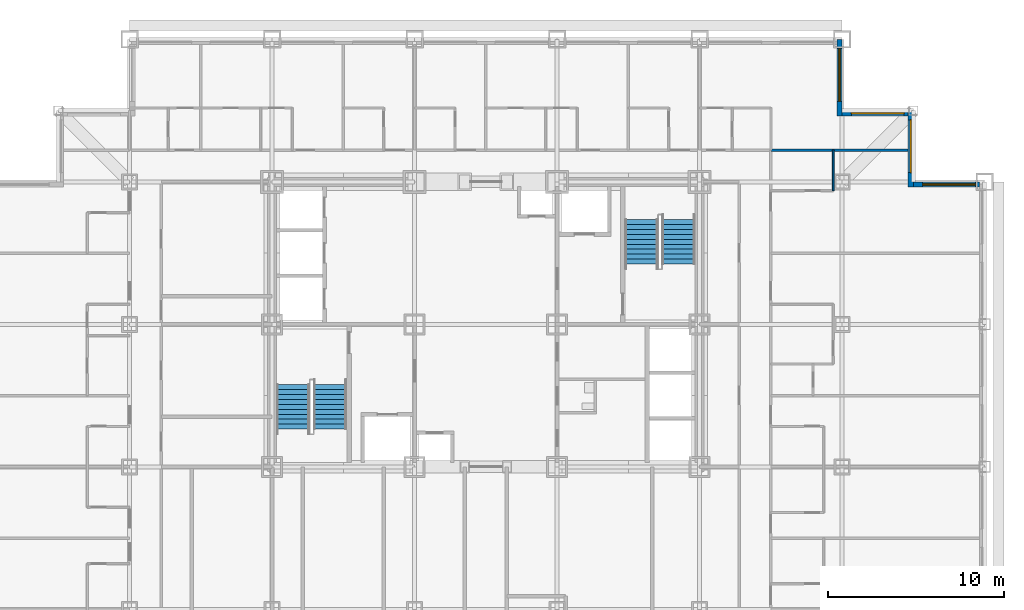
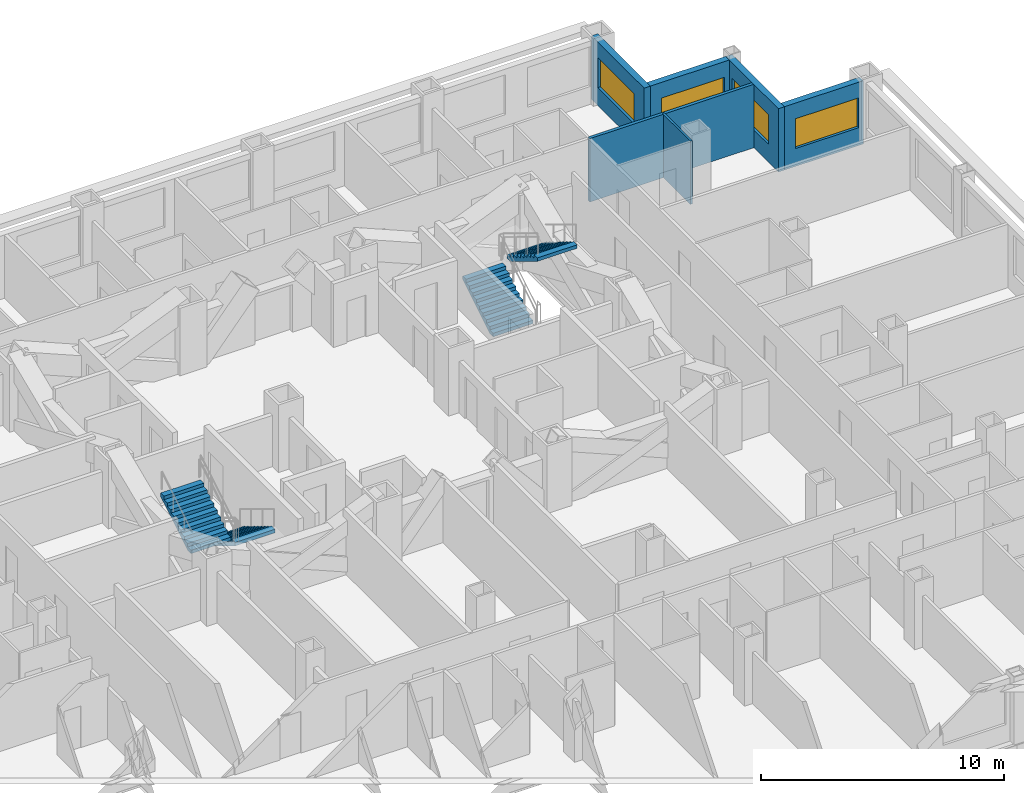
# One storey, part 11 of 13: 6 walls, 4 stair flights, 4 windows, 4 openings, 2 elements without a shape of their own.
"""IFC4 building model written with IfcOpenShell, lengths in metres."""

from ifc_helpers import new_model, si_unit, direction, frame, frame_2d, origin, place, context, subcontext, project, spatial, rectangle, extrude, polygons, source, transform, mapped, material, layer, layer_set, type_object, element, fill, aggregate, save


model = new_model("IFC4")

# Units and contexts
model_context = context("Model", 3, precision=1e-05, world=origin(), true_north=direction((0.0, 1.0)))
body_context = subcontext(model_context, "Body", "Model", "MODEL_VIEW")
ifc_project = project(units=[si_unit("LENGTHUNIT", "METRE"), si_unit("AREAUNIT", "SQUARE_METRE"), si_unit("VOLUMEUNIT", "CUBIC_METRE"), si_unit("PLANEANGLEUNIT", "RADIAN"), si_unit("MASSUNIT", "GRAM", prefix="KILO")], contexts=[model_context])

# Site, building, storey
site_placement = place(None, origin())
site = spatial("IfcSite", under=ifc_project, at=site_placement, CompositionType="ELEMENT")
building_placement = place(site_placement, origin())
building = spatial("IfcBuilding", under=site, at=building_placement, Name="Kopane Lantern Tower", CompositionType="ELEMENT")
storey_placement = place(building_placement, frame((0.0, 0.0, 63.60009765625)))
storey = spatial("IfcBuildingStorey", under=building, at=storey_placement, Name="L15", CompositionType="ELEMENT", Elevation=63.60009765625)

# Walls
ifc_material_1 = material(Name="Moisture-resistant board on steel studs", Category="steel")
ifc_layer_1 = layer(ifc_material_1, 0.10009765625)
ifc_layer_set_1 = layer_set([ifc_layer_1], Name="BATHROOM WALL 100")
wall_type_1 = type_object("IfcWallType", Name="BATHROOM WALL 100", PredefinedType="PARTITIONING", material=ifc_layer_set_1)
wall_1_placement = place(storey_placement, frame((48.090087890625, 40.0, 0.0), z_axis=(0.0, 0.0, 1.0), x_axis=(0.0, 1.0, 0.0)))
element("IfcWall", 1, at=wall_1_placement, inside=storey, type_object=wall_type_1, Name="Bathroom Wall 100 L15", PredefinedType="PARTITIONING", context=body_context, shape_type="SweptSolid", body=[
    extrude(rectangle(XDim=2.300048828125, YDim=0.10009765625, at=frame_2d((1.14990234375, 0.0))), origin(), (0.0, 0.0, 1.0), 3.18994140625),
])
ifc_material_2 = material(Name="Gypsum board on steel studs", Category="steel")
ifc_layer_2 = layer(ifc_material_2, 0.14990234375)
ifc_layer_set_2 = layer_set([ifc_layer_2], Name="DEMISING WALL 150 EI 60")
wall_type_2 = type_object("IfcWallType", Name="DEMISING WALL 150 EI 60", PredefinedType="PARTITIONING", material=ifc_layer_set_2)
wall_2_placement = place(storey_placement, frame((44.550048828125, 42.300048828125, 0.0), z_axis=(0.0, 0.0, 1.0), x_axis=(1.0, 0.0, 0.0)))
element("IfcWall", 2, at=wall_2_placement, inside=storey, type_object=wall_type_2, Name="Demising Wall 150 Ei 60 L15", PredefinedType="PARTITIONING", context=body_context, shape_type="SweptSolid", body=[
    extrude(rectangle(XDim=7.800048828125, YDim=0.14990234375, at=frame_2d((3.89990234375, 0.0))), origin(), (0.0, 0.0, 1.0), 3.18994140625),
])

# Wall, opening, window
ifc_material_3 = material(Name="Terracotta rainscreen on light steel framing", Category="masonry")
ifc_layer_3 = layer(ifc_material_3, 0.300048828125)
ifc_layer_set_3 = layer_set([ifc_layer_3], Name="EXTERNAL WALL EW1 300 TERRACOTTA")
wall_type_3 = type_object("IfcWallType", Name="EXTERNAL WALL EW1 300 TERRACOTTA", PredefinedType="SOLIDWALL", material=ifc_layer_set_3)
wall_3_placement = place(storey_placement, frame((56.39990234375, 40.35009765625, 0.0), z_axis=(0.0, 0.0, 1.0), x_axis=(-1.0, 0.0, 0.0)))
wall_3 = element("IfcWall", 3, at=wall_3_placement, inside=storey, type_object=wall_type_3, Name="External wall N L15", PredefinedType="SOLIDWALL", context=body_context, shape_type="SweptSolid", body=[
    extrude(rectangle(XDim=3.75, YDim=0.300048828125, at=frame_2d((1.875, 0.0))), origin(), (0.0, 0.0, 1.0), 3.18994140625),
])
opening_1_placement = place(wall_3_placement, frame((0.22509765625, 0.0, 0.89990234375)))
opening_1 = element("IfcOpeningElement", 4, at=opening_1_placement, cuts=wall_3, Name="Opening WR300150", PredefinedType="OPENING", context=body_context, shape_type="SweptSolid", body=[
    extrude(rectangle(XDim=3.0, YDim=1.5, at=frame_2d((1.5, 0.75))), frame((0.0, 0.159912109375, 0.0), z_axis=(0.0, -1.0, 0.0), x_axis=(1.0, 0.0, 0.0)), (0.0, 0.0, 1.0), 0.320068359375),
])
ifc_material_4 = material(Name="Aluminium and clear glass", Category="aluminium")
window_type = type_object("IfcWindowType", Name="RIBBON WINDOW WR300150 3000x1500", PartitioningType="SINGLE_PANEL", PredefinedType="WINDOW", material=ifc_material_4)
window_1_placement = place(opening_1_placement, origin())
window_1 = element("IfcWindow", 5, at=window_1_placement, inside=storey, type_object=window_type, Name="Window N L15", OverallHeight=1.5, OverallWidth=3.0, PartitioningType="SINGLE_PANEL", PredefinedType="WINDOW", context=body_context, shape_type="SweptSolid", body=[
    extrude(rectangle(XDim=3.0, YDim=1.5, at=frame_2d((1.5, 0.75))), frame((0.0, 0.030029296875, 0.0), z_axis=(0.0, -1.0, 0.0), x_axis=(1.0, 0.0, 0.0)), (0.0, 0.0, 1.0), 0.06005859375),
])
fill(opening_1, window_1)

wall_4_placement = place(storey_placement, frame((52.5, 40.199951171875, 0.0), z_axis=(0.0, 0.0, 1.0), x_axis=(0.0, 1.0, 0.0)))
wall_4 = element("IfcWall", 6, at=wall_4_placement, inside=storey, type_object=wall_type_3, Name="External wall E L15", PredefinedType="SOLIDWALL", context=body_context, shape_type="SweptSolid", body=[
    extrude(rectangle(XDim=4.35009765625, YDim=0.300048828125, at=frame_2d((2.175048828125, 0.0))), origin(), (0.0, 0.0, 1.0), 3.18994140625),
])
opening_2_placement = place(wall_4_placement, frame((0.824951171875, 0.0, 0.89990234375)))
opening_2 = element("IfcOpeningElement", 7, at=opening_2_placement, cuts=wall_4, Name="Opening WR300150", PredefinedType="OPENING", context=body_context, shape_type="SweptSolid", body=[
    extrude(rectangle(XDim=3.0, YDim=1.5, at=frame_2d((1.5, 0.75))), frame((0.0, 0.159912109375, 0.0), z_axis=(0.0, -1.0, 0.0), x_axis=(1.0, 0.0, 0.0)), (0.0, 0.0, 1.0), 0.320068359375),
])
window_2_placement = place(opening_2_placement, origin())
window_2 = element("IfcWindow", 8, at=window_2_placement, inside=storey, type_object=window_type, Name="Window E L15", OverallHeight=1.5, OverallWidth=3.0, PartitioningType="SINGLE_PANEL", PredefinedType="WINDOW", context=body_context, shape_type="SweptSolid", body=[
    extrude(rectangle(XDim=3.0, YDim=1.5, at=frame_2d((1.5, 0.75))), frame((0.0, 0.030029296875, 0.0), z_axis=(0.0, -1.0, 0.0), x_axis=(1.0, 0.0, 0.0)), (0.0, 0.0, 1.0), 0.06005859375),
])
fill(opening_2, window_2)

wall_5_placement = place(storey_placement, frame((52.35009765625, 44.39990234375, 0.0), z_axis=(0.0, 0.0, 1.0), x_axis=(-1.0, 0.0, 0.0)))
wall_5 = element("IfcWall", 9, at=wall_5_placement, inside=storey, type_object=wall_type_3, Name="External wall N L15", PredefinedType="SOLIDWALL", context=body_context, shape_type="SweptSolid", body=[
    extrude(rectangle(XDim=3.75, YDim=0.300048828125, at=frame_2d((1.875, 0.0))), origin(), (0.0, 0.0, 1.0), 3.18994140625),
])
opening_3_placement = place(wall_5_placement, frame((0.22509765625, 0.0, 0.89990234375)))
opening_3 = element("IfcOpeningElement", 10, at=opening_3_placement, cuts=wall_5, Name="Opening WR300150", PredefinedType="OPENING", context=body_context, shape_type="SweptSolid", body=[
    extrude(rectangle(XDim=3.0, YDim=1.5, at=frame_2d((1.5, 0.75))), frame((0.0, 0.159912109375, 0.0), z_axis=(0.0, -1.0, 0.0), x_axis=(1.0, 0.0, 0.0)), (0.0, 0.0, 1.0), 0.320068359375),
])
window_3_placement = place(opening_3_placement, origin())
window_3 = element("IfcWindow", 11, at=window_3_placement, inside=storey, type_object=window_type, Name="Window N L15", OverallHeight=1.5, OverallWidth=3.0, PartitioningType="SINGLE_PANEL", PredefinedType="WINDOW", context=body_context, shape_type="SweptSolid", body=[
    extrude(rectangle(XDim=3.0, YDim=1.5, at=frame_2d((1.5, 0.75))), frame((0.0, 0.030029296875, 0.0), z_axis=(0.0, -1.0, 0.0), x_axis=(1.0, 0.0, 0.0)), (0.0, 0.0, 1.0), 0.06005859375),
])
fill(opening_3, window_3)

wall_6_placement = place(storey_placement, frame((48.449951171875, 44.25, 0.0), z_axis=(0.0, 0.0, 1.0), x_axis=(0.0, 1.0, 0.0)))
wall_6 = element("IfcWall", 12, at=wall_6_placement, inside=storey, type_object=wall_type_3, Name="External wall E L15", PredefinedType="SOLIDWALL", context=body_context, shape_type="SweptSolid", body=[
    extrude(rectangle(XDim=4.35009765625, YDim=0.300048828125, at=frame_2d((2.175048828125, 0.0))), origin(), (0.0, 0.0, 1.0), 3.18994140625),
])
opening_4_placement = place(wall_6_placement, frame((0.824951171875, 0.0, 0.89990234375)))
opening_4 = element("IfcOpeningElement", 13, at=opening_4_placement, cuts=wall_6, Name="Opening WR300150", PredefinedType="OPENING", context=body_context, shape_type="SweptSolid", body=[
    extrude(rectangle(XDim=3.0, YDim=1.5, at=frame_2d((1.5, 0.75))), frame((0.0, 0.159912109375, 0.0), z_axis=(0.0, -1.0, 0.0), x_axis=(1.0, 0.0, 0.0)), (0.0, 0.0, 1.0), 0.320068359375),
])
window_4_placement = place(opening_4_placement, origin())
window_4 = element("IfcWindow", 14, at=window_4_placement, inside=storey, type_object=window_type, Name="Window E L15", OverallHeight=1.5, OverallWidth=3.0, PartitioningType="SINGLE_PANEL", PredefinedType="WINDOW", context=body_context, shape_type="SweptSolid", body=[
    extrude(rectangle(XDim=3.0, YDim=1.5, at=frame_2d((1.5, 0.75))), frame((0.0, 0.030029296875, 0.0), z_axis=(0.0, -1.0, 0.0), x_axis=(1.0, 0.0, 0.0)), (0.0, 0.0, 1.0), 0.06005859375),
])
fill(opening_4, window_4)

# Stair, stair flights
ifc_material_5 = material(Name="Steel S355JR", Category="steel")
stair_type = type_object("IfcStairType", Name="EXIT STAIR 1900 HALF TURN", PredefinedType="HALF_TURN_STAIR", material=ifc_material_5)
stair_1_placement = place(storey_placement, origin())
stair_1 = element("IfcStair", 15, at=stair_1_placement, inside=storey, type_object=stair_type, Name="Exit stair ST1 L15", PredefinedType="HALF_TURN_STAIR")
ifc_material_6 = material(Name="Steel S355JR", Category="steel")
stair_flight_type = type_object("IfcStairFlightType", Name="STAIR FLIGHT 1900 STEEL", PredefinedType="STRAIGHT", material=ifc_material_6)
shared_shape = source(origin(), body_context, "Body", "Tessellation", [
    polygons([(2.520019531, 0.949951172, 1.530029297), (2.239990234, 0.949951172, 1.530029297), (2.239990234, -0.949951172, 1.530029297), (2.520019531, -0.949951172, 1.530029297), (0.288818359, 0.949951172, 0.0), (2.520019531, 0.949951172, 1.354736328), (2.520019531, -0.949951172, 1.354736328), (0.288818359, -0.949951172, 0.0), (0.0, 0.949951172, 0.0), (0.0, -0.949951172, 0.0), (0.280029297, 0.949951172, 0.169921875), (0.0, 0.949951172, 0.169921875), (0.0, -0.949951172, 0.169921875), (0.280029297, -0.949951172, 0.169921875), (0.280029297, 0.949951172, 0.340087891), (0.280029297, -0.949951172, 0.340087891), (0.560058594, 0.949951172, 0.340087891), (0.560058594, -0.949951172, 0.340087891), (0.560058594, 0.949951172, 0.510009766), (0.560058594, -0.949951172, 0.510009766), (0.840087891, 0.949951172, 0.510009766), (0.840087891, -0.949951172, 0.510009766), (0.840087891, 0.949951172, 0.679931641), (0.840087891, -0.949951172, 0.679931641), (1.120117188, 0.949951172, 0.679931641), (1.120117188, -0.949951172, 0.679931641), (1.120117188, 0.949951172, 0.850097656), (1.120117188, -0.949951172, 0.850097656), (1.399902344, 0.949951172, 0.850097656), (1.399902344, -0.949951172, 0.850097656), (1.399902344, 0.949951172, 1.020019531), (1.399902344, -0.949951172, 1.020019531), (1.679931641, 0.949951172, 1.020019531), (1.679931641, -0.949951172, 1.020019531), (1.679931641, 0.949951172, 1.189941406), (1.679931641, -0.949951172, 1.189941406), (1.959960938, 0.949951172, 1.189941406), (1.959960938, -0.949951172, 1.189941406), (1.959960938, 0.949951172, 1.360107422), (1.959960938, -0.949951172, 1.360107422), (2.239990234, 0.949951172, 1.360107422), (2.239990234, -0.949951172, 1.360107422), (0.0, 0.0, 0.004592483), (0.0, 0.0, 0.009184966), (0.0, 0.0, 0.013777449), (0.0, 0.0, 0.018369932), (0.0, 0.0, 0.022962416), (0.0, 0.0, 0.027554899), (0.0, 0.0, 0.032147382), (0.0, 0.0, 0.036739865), (0.0, 0.0, 0.041332348), (0.0, 0.0, 0.045924831), (0.0, 0.0, 0.050517314), (0.0, 0.0, 0.055109797), (0.0, 0.0, 0.05970228), (0.0, 0.0, 0.064294764), (0.0, 0.0, 0.068887247), (0.0, 0.0, 0.07347973), (0.0, 0.0, 0.078072213), (0.0, 0.0, 0.082664696), (0.0, 0.0, 0.087257179), (0.0, 0.0, 0.091849662), (0.0, 0.0, 0.096442145), (0.0, 0.0, 0.101034628), (0.0, 0.0, 0.105627111), (0.0, 0.0, 0.110219595), (0.0, 0.0, 0.114812078), (0.0, 0.0, 0.119404561), (0.0, 0.0, 0.123997044), (0.0, 0.0, 0.128589527), (0.0, 0.0, 0.13318201), (0.0, 0.0, 0.137774493), (0.0, 0.0, 0.142366976), (0.0, 0.0, 0.146959459), (0.0, 0.0, 0.151551943), (0.0, 0.0, 0.156144426), (0.0, 0.0, 0.160736909), (0.0, 0.0, 0.165329392), (2.520019531, 0.0, 1.359473976), (2.520019531, 0.0, 1.364211624), (2.520019531, 0.0, 1.368949272), (2.520019531, 0.0, 1.373686919), (2.520019531, 0.0, 1.378424567), (2.520019531, 0.0, 1.383162215), (2.520019531, 0.0, 1.387899863), (2.520019531, 0.0, 1.392637511), (2.520019531, 0.0, 1.397375158), (2.520019531, 0.0, 1.402112806), (2.520019531, 0.0, 1.406850454), (2.520019531, 0.0, 1.411588102), (2.520019531, 0.0, 1.41632575), (2.520019531, 0.0, 1.421063397), (2.520019531, 0.0, 1.425801045), (2.520019531, 0.0, 1.430538693), (2.520019531, 0.0, 1.435276341), (2.520019531, 0.0, 1.440013989), (2.520019531, 0.0, 1.444751636), (2.520019531, 0.0, 1.449489284), (2.520019531, 0.0, 1.454226932), (2.520019531, 0.0, 1.45896458), (2.520019531, 0.0, 1.463702228), (2.520019531, 0.0, 1.468439875), (2.520019531, 0.0, 1.473177523), (2.520019531, 0.0, 1.477915171), (2.520019531, 0.0, 1.482652819), (2.520019531, 0.0, 1.487390467), (2.520019531, 0.0, 1.492128114), (2.520019531, 0.0, 1.496865762), (2.520019531, 0.0, 1.50160341), (2.520019531, 0.0, 1.506341058), (2.520019531, 0.0, 1.511078706), (2.520019531, 0.0, 1.515816353), (2.520019531, 0.0, 1.520554001), (2.520019531, 0.0, 1.525291649)], [[[1, 2, 3]], [[1, 3, 4]], [[5, 6, 7]], [[5, 7, 8]], [[9, 5, 8]], [[9, 8, 10]], [[11, 12, 13]], [[11, 13, 14]], [[15, 11, 14]], [[15, 14, 16]], [[17, 15, 16]], [[17, 16, 18]], [[19, 17, 18]], [[19, 18, 20]], [[21, 19, 20]], [[21, 20, 22]], [[23, 21, 22]], [[23, 22, 24]], [[25, 23, 24]], [[25, 24, 26]], [[27, 25, 26]], [[27, 26, 28]], [[29, 27, 28]], [[29, 28, 30]], [[31, 29, 30]], [[31, 30, 32]], [[33, 31, 32]], [[33, 32, 34]], [[35, 33, 34]], [[35, 34, 36]], [[37, 35, 36]], [[37, 36, 38]], [[39, 37, 38]], [[39, 38, 40]], [[41, 39, 40]], [[41, 40, 42]], [[2, 41, 42]], [[2, 42, 3]], [[41, 1, 6]], [[37, 41, 6]], [[2, 1, 41]], [[33, 37, 6]], [[39, 41, 37]], [[35, 37, 33]], [[31, 33, 29]], [[5, 21, 25]], [[27, 29, 25]], [[17, 21, 5]], [[23, 25, 21]], [[11, 17, 5]], [[19, 21, 17]], [[9, 11, 5]], [[15, 17, 11]], [[12, 11, 9]], [[6, 5, 25]], [[6, 25, 29]], [[6, 29, 33]], [[7, 4, 42]], [[7, 42, 38]], [[42, 4, 3]], [[7, 38, 34]], [[38, 42, 40]], [[34, 38, 36]], [[30, 34, 32]], [[26, 22, 8]], [[26, 30, 28]], [[8, 22, 18]], [[22, 26, 24]], [[8, 18, 14]], [[18, 22, 20]], [[8, 14, 10]], [[14, 18, 16]], [[10, 14, 13]], [[26, 8, 7]], [[30, 26, 7]], [[34, 30, 7]], [[10, 43, 9]], [[10, 44, 43]], [[9, 43, 44]], [[10, 45, 44]], [[9, 44, 45]], [[10, 46, 45]], [[9, 45, 46]], [[10, 47, 46]], [[9, 46, 47]], [[10, 48, 47]], [[9, 47, 48]], [[10, 49, 48]], [[9, 48, 49]], [[10, 50, 49]], [[9, 49, 50]], [[10, 51, 50]], [[9, 50, 51]], [[10, 52, 51]], [[9, 51, 52]], [[10, 53, 52]], [[9, 52, 53]], [[10, 54, 53]], [[9, 53, 54]], [[10, 55, 54]], [[9, 54, 55]], [[10, 56, 55]], [[9, 55, 56]], [[10, 57, 56]], [[9, 56, 57]], [[10, 58, 57]], [[9, 57, 58]], [[10, 59, 58]], [[9, 58, 59]], [[10, 60, 59]], [[9, 59, 60]], [[10, 61, 60]], [[9, 60, 61]], [[10, 62, 61]], [[9, 61, 62]], [[10, 63, 62]], [[9, 62, 63]], [[10, 64, 63]], [[9, 63, 64]], [[10, 65, 64]], [[9, 64, 65]], [[10, 66, 65]], [[9, 65, 66]], [[10, 67, 66]], [[9, 66, 67]], [[10, 68, 67]], [[9, 67, 68]], [[10, 69, 68]], [[9, 68, 69]], [[10, 70, 69]], [[9, 69, 70]], [[10, 71, 70]], [[9, 70, 71]], [[10, 72, 71]], [[9, 71, 72]], [[10, 73, 72]], [[9, 72, 73]], [[10, 74, 73]], [[9, 73, 74]], [[10, 75, 74]], [[9, 74, 75]], [[10, 76, 75]], [[9, 75, 76]], [[10, 77, 76]], [[9, 76, 77]], [[10, 78, 77]], [[9, 77, 78]], [[10, 13, 78]], [[78, 13, 12]], [[9, 78, 12]], [[7, 6, 79]], [[7, 79, 80]], [[6, 80, 79]], [[7, 80, 81]], [[6, 81, 80]], [[7, 81, 82]], [[6, 82, 81]], [[7, 82, 83]], [[6, 83, 82]], [[7, 83, 84]], [[6, 84, 83]], [[7, 84, 85]], [[6, 85, 84]], [[7, 85, 86]], [[6, 86, 85]], [[7, 86, 87]], [[6, 87, 86]], [[7, 87, 88]], [[6, 88, 87]], [[7, 88, 89]], [[6, 89, 88]], [[7, 89, 90]], [[6, 90, 89]], [[7, 90, 91]], [[6, 91, 90]], [[7, 91, 92]], [[6, 92, 91]], [[7, 92, 93]], [[6, 93, 92]], [[7, 93, 94]], [[6, 94, 93]], [[7, 94, 95]], [[6, 95, 94]], [[7, 95, 96]], [[6, 96, 95]], [[7, 96, 97]], [[6, 97, 96]], [[7, 97, 98]], [[6, 98, 97]], [[7, 98, 99]], [[6, 99, 98]], [[7, 99, 100]], [[6, 100, 99]], [[7, 100, 101]], [[6, 101, 100]], [[7, 101, 102]], [[6, 102, 101]], [[7, 102, 103]], [[6, 103, 102]], [[7, 103, 104]], [[6, 104, 103]], [[7, 104, 105]], [[6, 105, 104]], [[7, 105, 106]], [[6, 106, 105]], [[7, 106, 107]], [[6, 107, 106]], [[7, 107, 108]], [[6, 108, 107]], [[7, 108, 109]], [[6, 109, 108]], [[7, 109, 110]], [[6, 110, 109]], [[7, 110, 111]], [[6, 111, 110]], [[7, 111, 112]], [[6, 112, 111]], [[7, 112, 113]], [[6, 113, 112]], [[7, 113, 114]], [[6, 114, 113]], [[7, 114, 4]], [[114, 1, 4]], [[6, 1, 114]]], closed=True),
])
stair_flight_1_placement = place(storey_placement, frame((19.5, 28.969970703125, 0.0), z_axis=(0.0, 0.0, 1.0), x_axis=(0.0, -1.0, 0.0)))
stair_flight_1 = element("IfcStairFlight", 16, at=stair_flight_1_placement, type_object=stair_flight_type, Name="ST1 flight 1", NumberOfRisers=10, NumberOfTreads=9, PredefinedType="STRAIGHT", RiserHeight=0.17, TreadLength=0.28, context=body_context, shape_type="MappedRepresentation", body=[
    mapped(shared_shape, transform((0.0, 0.0, 0.0))),
])
stair_flight_2_placement = place(storey_placement, frame((17.39990234375, 26.449951171875, 1.699951171875), z_axis=(0.0, 0.0, 1.0), x_axis=(0.0, 1.0, 0.0)))
stair_flight_2 = element("IfcStairFlight", 17, at=stair_flight_2_placement, type_object=stair_flight_type, Name="ST1 flight 2", NumberOfRisers=10, NumberOfTreads=9, PredefinedType="STRAIGHT", RiserHeight=0.17, TreadLength=0.28, context=body_context, shape_type="MappedRepresentation", body=[
    mapped(shared_shape, transform((0.0, 0.0, 0.0))),
])
aggregate(stair_1, [stair_flight_1, stair_flight_2])

stair_2_placement = place(storey_placement, origin())
stair_2 = element("IfcStair", 18, at=stair_2_placement, inside=storey, type_object=stair_type, Name="Exit stair ST2 L15", PredefinedType="HALF_TURN_STAIR")
stair_flight_3_placement = place(storey_placement, frame((37.199951171875, 35.830078125, 0.0), z_axis=(0.0, 0.0, 1.0), x_axis=(0.0, 1.0, 0.0)))
stair_flight_3 = element("IfcStairFlight", 19, at=stair_flight_3_placement, type_object=stair_flight_type, Name="ST2 flight 1", NumberOfRisers=10, NumberOfTreads=9, PredefinedType="STRAIGHT", RiserHeight=0.17, TreadLength=0.28, context=body_context, shape_type="MappedRepresentation", body=[
    mapped(shared_shape, transform((0.0, 0.0, 0.0))),
])
stair_flight_4_placement = place(storey_placement, frame((39.300048828125, 38.35009765625, 1.699951171875), z_axis=(0.0, 0.0, 1.0), x_axis=(0.0, -1.0, 0.0)))
stair_flight_4 = element("IfcStairFlight", 20, at=stair_flight_4_placement, type_object=stair_flight_type, Name="ST2 flight 2", NumberOfRisers=10, NumberOfTreads=9, PredefinedType="STRAIGHT", RiserHeight=0.17, TreadLength=0.28, context=body_context, shape_type="MappedRepresentation", body=[
    mapped(shared_shape, transform((0.0, 0.0, 0.0))),
])
aggregate(stair_2, [stair_flight_3, stair_flight_4])

save(model, "model.ifc")
